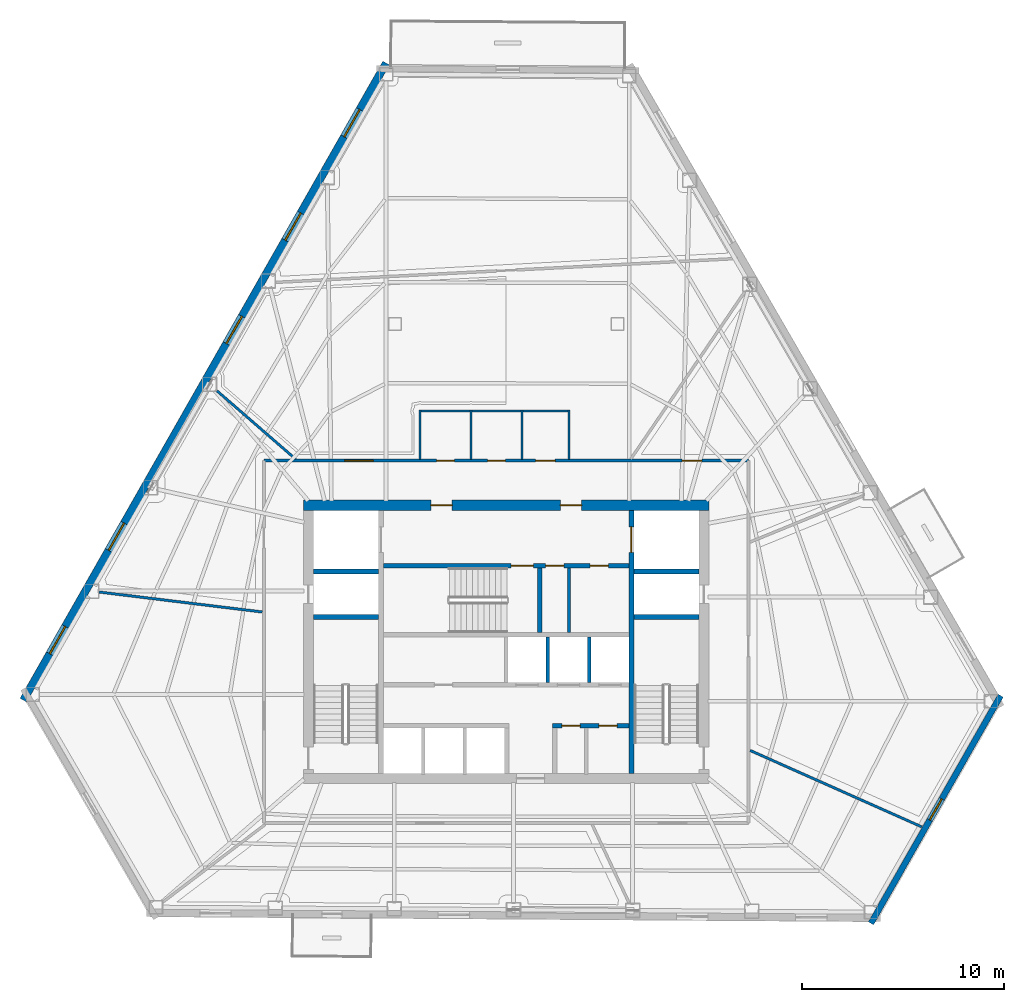
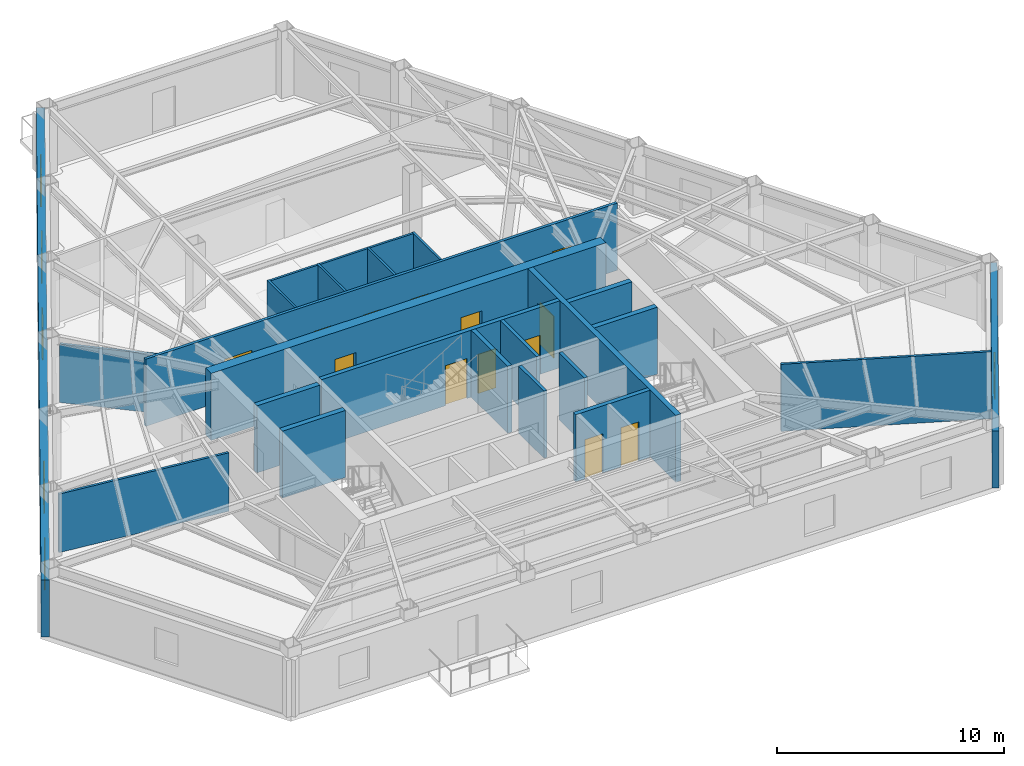
# One storey, part 6 of 9: 23 walls, 13 doors, 6 windows, 19 openings.
"""IFC4 building model written with IfcOpenShell, lengths in metres."""

from ifc_helpers import new_model, si_unit, direction, frame, frame_2d, origin, place, context, subcontext, project, spatial, rectangle, extrude, material, layer, layer_set, type_object, element, fill, save


model = new_model("IFC4")

# Units and contexts
model_context = context("Model", 3, precision=1e-05, world=origin(), true_north=direction((0.0, 1.0)))
body_context = subcontext(model_context, "Body", "Model", "MODEL_VIEW")
ifc_project = project(units=[si_unit("LENGTHUNIT", "METRE"), si_unit("AREAUNIT", "SQUARE_METRE"), si_unit("VOLUMEUNIT", "CUBIC_METRE"), si_unit("PLANEANGLEUNIT", "RADIAN"), si_unit("MASSUNIT", "GRAM", prefix="KILO")], contexts=[model_context])

# Site, building, storey
site_placement = place(None, origin())
site = spatial("IfcSite", under=ifc_project, at=site_placement, CompositionType="ELEMENT")
building_placement = place(site_placement, origin())
building = spatial("IfcBuilding", under=site, at=building_placement, Name="Kavelnor Concourse Tower", CompositionType="ELEMENT")
storey_placement = place(building_placement, frame((0.0, 0.0, 112.449951171875)))
storey = spatial("IfcBuildingStorey", under=building, at=storey_placement, Name="L28", CompositionType="ELEMENT", Elevation=112.449951171875)

# Wall, openings, doors
ifc_material_1 = material(Name="Concrete C60/75", Category="concrete")
ifc_layer_1 = layer(ifc_material_1, 0.5, Name="Concrete C60/75")
ifc_layer_set_1 = layer_set([ifc_layer_1], Name="Concrete C60/75")
wall_type_1 = type_object("IfcWallType", Name="WL-CORE-Z2-500", PredefinedType="SOLIDWALL", material=ifc_layer_set_1)
wall_1_placement = place(storey_placement, frame((27.97998046875, 22.85009765625, 0.0), z_axis=(0.0, 0.0, 1.0), x_axis=(1.0, 0.0, 0.0)))
wall_1 = element("IfcWall", 1, at=wall_1_placement, inside=storey, type_object=wall_type_1, Name="L28 Central Core North Shear Wall", PredefinedType="SOLIDWALL", context=body_context, shape_type="SweptSolid", body=[
    extrude(rectangle(XDim=20.0400390625, YDim=0.5, at=frame_2d((10.02001953125, 0.0))), origin(), (0.0, 0.0, 1.0), 3.60009765625),
])
opening_1_placement = place(wall_1_placement, frame((6.294921875, 0.0, 0.0)))
opening_1 = element("IfcOpeningElement", 2, at=opening_1_placement, cuts=wall_1, Name="Opening FD-105", PredefinedType="OPENING", context=body_context, shape_type="SweptSolid", body=[
    extrude(rectangle(XDim=1.050048828125, YDim=2.14990234375, at=frame_2d((0.52490234375, 1.074951171875))), frame((0.0, 0.260009765625, 0.0), z_axis=(0.0, -1.0, 0.0), x_axis=(1.0, 0.0, 0.0)), (0.0, 0.0, 1.0), 0.52001953125),
])
opening_2_placement = place(wall_1_placement, frame((12.695068359375, 0.0, 0.0)))
opening_2 = element("IfcOpeningElement", 3, at=opening_2_placement, cuts=wall_1, Name="Opening FD-105", PredefinedType="OPENING", context=body_context, shape_type="SweptSolid", body=[
    extrude(rectangle(XDim=1.050048828125, YDim=2.14990234375, at=frame_2d((0.52490234375, 1.074951171875))), frame((0.0, 0.260009765625, 0.0), z_axis=(0.0, -1.0, 0.0), x_axis=(1.0, 0.0, 0.0)), (0.0, 0.0, 1.0), 0.52001953125),
])
ifc_material_2 = material(Name="Steel Grade 350", Category="steel")
door_type_1 = type_object("IfcDoorType", Name="DR-LOBBY-FIRE-1050", OperationType="NOTDEFINED", PredefinedType="DOOR", material=ifc_material_2)
door_1_placement = place(opening_1_placement, origin())
door_1 = element("IfcDoor", 4, at=door_1_placement, inside=storey, type_object=door_type_1, Name="L28 Emergency Lift Lobby West Door", OperationType="SINGLE_SWING_LEFT", OverallHeight=2.14990234375, OverallWidth=1.050048828125, PredefinedType="DOOR", context=body_context, shape_type="SweptSolid", body=[
    extrude(rectangle(XDim=1.050048828125, YDim=2.14990234375, at=frame_2d((0.52490234375, 1.074951171875))), frame((0.0, 0.02490234375, 0.0), z_axis=(0.0, -1.0, 0.0), x_axis=(1.0, 0.0, 0.0)), (0.0, 0.0, 1.0), 0.050048828125),
])
fill(opening_1, door_1)
door_2_placement = place(opening_2_placement, origin())
door_2 = element("IfcDoor", 5, at=door_2_placement, inside=storey, type_object=door_type_1, Name="L28 Emergency Lift Lobby East Door", OperationType="SINGLE_SWING_RIGHT", OverallHeight=2.14990234375, OverallWidth=1.050048828125, PredefinedType="DOOR", context=body_context, shape_type="SweptSolid", body=[
    extrude(rectangle(XDim=1.050048828125, YDim=2.14990234375, at=frame_2d((0.52490234375, 1.074951171875))), frame((0.0, 0.02490234375, 0.0), z_axis=(0.0, -1.0, 0.0), x_axis=(1.0, 0.0, 0.0)), (0.0, 0.0, 1.0), 0.050048828125),
])
fill(opening_2, door_2)

# Wall, opening, window
ifc_material_3 = material(Name="Buff ironspot clay face brick masonry", Category="masonry")
ifc_layer_2 = layer(ifc_material_3, 0.300048828125, Name="Buff ironspot clay face brick masonry")
ifc_layer_set_2 = layer_set([ifc_layer_2], Name="Buff ironspot clay face brick masonry")
wall_type_2 = type_object("IfcWallType", Name="WL-EXT-BUFF-BRICK-FOLD-300", PredefinedType="STANDARD", material=ifc_layer_set_2)
wall_2_placement = place(storey_placement, frame((62.429443359375, 13.4423828125, 0.0), z_axis=(0.0, 0.0, 1.0), x_axis=(-0.49490368697, -0.868947835387, 0.0)))
wall_2 = element("IfcWall", 6, at=wall_2_placement, inside=storey, type_object=wall_type_2, Name="L28 Exterior Brick Facade Wall E4", PredefinedType="STANDARD", context=body_context, shape_type="SweptSolid", body=[
    extrude(rectangle(XDim=12.9462890625, YDim=0.300048828125, at=frame_2d((6.47314453125, 0.0))), origin(), (0.0, 0.0, 1.0), 3.05908203125),
])
opening_3_placement = place(wall_2_placement, frame((5.873291015625, 0.0, 0.64990234375)))
opening_3 = element("IfcOpeningElement", 7, at=opening_3_placement, cuts=wall_2, Name="Opening W-05", PredefinedType="OPENING", context=body_context, shape_type="SweptSolid", body=[
    extrude(rectangle(XDim=1.199951171875, YDim=1.699951171875, at=frame_2d((0.60009765625, 0.85009765625))), frame((0.0, 0.16015625, 0.0), z_axis=(0.0, -1.0, 0.0), x_axis=(1.0, 0.0, 0.0)), (0.0, 0.0, 1.0), 0.320068359375),
])
ifc_material_4 = material(Name="Double low-E argon insulated glazing", Category="glass")
window_type_1 = type_object("IfcWindowType", Name="WIN-FOLD-1200", PartitioningType="SINGLE_PANEL", PredefinedType="WINDOW", material=ifc_material_4)
window_1_placement = place(opening_3_placement, origin())
window_1 = element("IfcWindow", 8, at=window_1_placement, inside=storey, type_object=window_type_1, Name="L28 Chamfer-Fold Facet Window C2", OverallHeight=1.699951171875, OverallWidth=1.199951171875, PartitioningType="SINGLE_PANEL", PredefinedType="WINDOW", context=body_context, shape_type="SweptSolid", body=[
    extrude(rectangle(XDim=1.199951171875, YDim=1.699951171875, at=frame_2d((0.60009765625, 0.85009765625))), frame((0.0, 0.030029296875, 0.0), z_axis=(0.0, -1.0, 0.0), x_axis=(1.0, 0.0, 0.0)), (0.0, 0.0, 1.0), 0.06005859375),
])
fill(opening_3, window_1)

# Wall, openings, windows
ifc_material_5 = material(Name="Red-ochre clay face brick masonry", Category="masonry")
ifc_layer_3 = layer(ifc_material_5, 0.3798828125, Name="Red-ochre clay face brick masonry")
ifc_layer_set_3 = layer_set([ifc_layer_3], Name="Red-ochre clay face brick masonry")
wall_type_3 = type_object("IfcWallType", Name="WL-EXT-RED-BRICK-PIER-380", PredefinedType="STANDARD", material=ifc_layer_set_3)
wall_3_placement = place(storey_placement, frame((14.144287109375, 13.218505859375, 0.0), z_axis=(0.0, 0.0, 1.0), x_axis=(0.494900960409, 0.868949388277, 0.0)))
wall_3 = element("IfcWall", 9, at=wall_3_placement, inside=storey, type_object=wall_type_3, Name="L28 Exterior Brick Facade Wall E1", PredefinedType="STANDARD", context=body_context, shape_type="SweptSolid", body=[
    extrude(rectangle(XDim=36.225341796875, YDim=0.3798828125, at=frame_2d((18.11279296875, 0.0))), origin(), (0.0, 0.0, 1.0), 3.05908203125),
])
opening_4_placement = place(wall_3_placement, frame((32.0302734375, 0.0, 0.64990234375)))
opening_4 = element("IfcOpeningElement", 10, at=opening_4_placement, cuts=wall_3, Name="Opening W-02", PredefinedType="OPENING", context=body_context, shape_type="SweptSolid", body=[
    extrude(rectangle(XDim=1.550048828125, YDim=1.75, at=frame_2d((0.77490234375, 0.875))), frame((0.0, 0.199951171875, 0.0), z_axis=(0.0, -1.0, 0.0), x_axis=(1.0, 0.0, 0.0)), (0.0, 0.0, 1.0), 0.39990234375),
])
opening_5_placement = place(wall_3_placement, frame((26.152099609375, 0.0, 0.64990234375)))
opening_5 = element("IfcOpeningElement", 11, at=opening_5_placement, cuts=wall_3, Name="Opening W-02", PredefinedType="OPENING", context=body_context, shape_type="SweptSolid", body=[
    extrude(rectangle(XDim=1.550048828125, YDim=1.75, at=frame_2d((0.77490234375, 0.875))), frame((0.0, 0.199951171875, 0.0), z_axis=(0.0, -1.0, 0.0), x_axis=(1.0, 0.0, 0.0)), (0.0, 0.0, 1.0), 0.39990234375),
])
opening_6_placement = place(wall_3_placement, frame((20.27392578125, 0.0, 0.64990234375)))
opening_6 = element("IfcOpeningElement", 12, at=opening_6_placement, cuts=wall_3, Name="Opening W-02", PredefinedType="OPENING", context=body_context, shape_type="SweptSolid", body=[
    extrude(rectangle(XDim=1.550048828125, YDim=1.75, at=frame_2d((0.77490234375, 0.875))), frame((0.0, 0.199951171875, 0.0), z_axis=(0.0, -1.0, 0.0), x_axis=(1.0, 0.0, 0.0)), (0.0, 0.0, 1.0), 0.39990234375),
])
opening_7_placement = place(wall_3_placement, frame((8.517578125, 0.0, 0.64990234375)))
opening_7 = element("IfcOpeningElement", 13, at=opening_7_placement, cuts=wall_3, Name="Opening W-02", PredefinedType="OPENING", context=body_context, shape_type="SweptSolid", body=[
    extrude(rectangle(XDim=1.550048828125, YDim=1.75, at=frame_2d((0.77490234375, 0.875))), frame((0.0, 0.199951171875, 0.0), z_axis=(0.0, -1.0, 0.0), x_axis=(1.0, 0.0, 0.0)), (0.0, 0.0, 1.0), 0.39990234375),
])
opening_8_placement = place(wall_3_placement, frame((2.6396484375, 0.0, 0.64990234375)))
opening_8 = element("IfcOpeningElement", 14, at=opening_8_placement, cuts=wall_3, Name="Opening W-02", PredefinedType="OPENING", context=body_context, shape_type="SweptSolid", body=[
    extrude(rectangle(XDim=1.550048828125, YDim=1.75, at=frame_2d((0.77490234375, 0.875))), frame((0.0, 0.199951171875, 0.0), z_axis=(0.0, -1.0, 0.0), x_axis=(1.0, 0.0, 0.0)), (0.0, 0.0, 1.0), 0.39990234375),
])
window_type_2 = type_object("IfcWindowType", Name="WIN-PIER-Z2-1650", PartitioningType="SINGLE_PANEL", PredefinedType="WINDOW", material=ifc_material_4)
window_2_placement = place(opening_4_placement, origin())
window_2 = element("IfcWindow", 15, at=window_2_placement, inside=storey, type_object=window_type_2, Name="L28 Deep-Set Brick Pier Window F0-B0", OverallHeight=1.75, OverallWidth=1.550048828125, PartitioningType="SINGLE_PANEL", PredefinedType="WINDOW", context=body_context, shape_type="SweptSolid", body=[
    extrude(rectangle(XDim=1.550048828125, YDim=1.75, at=frame_2d((0.77490234375, 0.875))), frame((0.0, 0.030029296875, 0.0), z_axis=(0.0, -1.0, 0.0), x_axis=(1.0, 0.0, 0.0)), (0.0, 0.0, 1.0), 0.06005859375),
])
fill(opening_4, window_2)
window_3_placement = place(opening_5_placement, origin())
window_3 = element("IfcWindow", 16, at=window_3_placement, inside=storey, type_object=window_type_2, Name="L28 Deep-Set Brick Pier Window F0-B1", OverallHeight=1.75, OverallWidth=1.550048828125, PartitioningType="SINGLE_PANEL", PredefinedType="WINDOW", context=body_context, shape_type="SweptSolid", body=[
    extrude(rectangle(XDim=1.550048828125, YDim=1.75, at=frame_2d((0.77490234375, 0.875))), frame((0.0, 0.030029296875, 0.0), z_axis=(0.0, -1.0, 0.0), x_axis=(1.0, 0.0, 0.0)), (0.0, 0.0, 1.0), 0.06005859375),
])
fill(opening_5, window_3)
window_4_placement = place(opening_6_placement, origin())
window_4 = element("IfcWindow", 17, at=window_4_placement, inside=storey, type_object=window_type_2, Name="L28 Deep-Set Brick Pier Window F0-B2", OverallHeight=1.75, OverallWidth=1.550048828125, PartitioningType="SINGLE_PANEL", PredefinedType="WINDOW", context=body_context, shape_type="SweptSolid", body=[
    extrude(rectangle(XDim=1.550048828125, YDim=1.75, at=frame_2d((0.77490234375, 0.875))), frame((0.0, 0.030029296875, 0.0), z_axis=(0.0, -1.0, 0.0), x_axis=(1.0, 0.0, 0.0)), (0.0, 0.0, 1.0), 0.06005859375),
])
fill(opening_6, window_4)
window_5_placement = place(opening_7_placement, origin())
window_5 = element("IfcWindow", 18, at=window_5_placement, inside=storey, type_object=window_type_2, Name="L28 Deep-Set Brick Pier Window F0-B4", OverallHeight=1.75, OverallWidth=1.550048828125, PartitioningType="SINGLE_PANEL", PredefinedType="WINDOW", context=body_context, shape_type="SweptSolid", body=[
    extrude(rectangle(XDim=1.550048828125, YDim=1.75, at=frame_2d((0.77490234375, 0.875))), frame((0.0, 0.030029296875, 0.0), z_axis=(0.0, -1.0, 0.0), x_axis=(1.0, 0.0, 0.0)), (0.0, 0.0, 1.0), 0.06005859375),
])
fill(opening_7, window_5)
window_6_placement = place(opening_8_placement, origin())
window_6 = element("IfcWindow", 19, at=window_6_placement, inside=storey, type_object=window_type_2, Name="L28 Deep-Set Brick Pier Window F0-B5", OverallHeight=1.75, OverallWidth=1.550048828125, PartitioningType="SINGLE_PANEL", PredefinedType="WINDOW", context=body_context, shape_type="SweptSolid", body=[
    extrude(rectangle(XDim=1.550048828125, YDim=1.75, at=frame_2d((0.77490234375, 0.875))), frame((0.0, 0.030029296875, 0.0), z_axis=(0.0, -1.0, 0.0), x_axis=(1.0, 0.0, 0.0)), (0.0, 0.0, 1.0), 0.06005859375),
])
fill(opening_8, window_6)

# Wall, openings, doors
ifc_material_6 = material(Name="Gypsum plasterboard on light-gauge steel studs", Category="steel")
ifc_layer_4 = layer(ifc_material_6, 0.14501953125, Name="Gypsum plasterboard on light-gauge steel studs")
ifc_layer_set_4 = layer_set([ifc_layer_4], Name="Gypsum plasterboard on light-gauge steel studs")
wall_type_4 = type_object("IfcWallType", Name="WL-INT-CORR-145", PredefinedType="PARTITIONING", material=ifc_layer_set_4)
wall_4_placement = place(storey_placement, frame((49.969970703125, 25.050048828125, 0.0), z_axis=(0.0, 0.0, 1.0), x_axis=(-1.0, 0.0, 0.0)))
wall_4 = element("IfcWall", 20, at=wall_4_placement, inside=storey, type_object=wall_type_4, Name="L28 Corridor Wall WL-L28-CR-02", PredefinedType="PARTITIONING", context=body_context, shape_type="SweptSolid", body=[
    extrude(rectangle(XDim=23.93994140625, YDim=0.14501953125, at=frame_2d((11.969970703125, 0.0))), origin(), (0.0, 0.0, 1.0), 3.60009765625),
])
opening_9_placement = place(wall_4_placement, frame((14.530029296875, 0.0, 0.0)))
opening_9 = element("IfcOpeningElement", 21, at=opening_9_placement, cuts=wall_4, Name="Opening WD-088", PredefinedType="OPENING", context=body_context, shape_type="SweptSolid", body=[
    extrude(rectangle(XDim=0.8798828125, YDim=2.10009765625, at=frame_2d((0.43994140625, 1.050048828125))), frame((0.0, 0.08251953125, 0.0), z_axis=(0.0, -1.0, 0.0), x_axis=(1.0, 0.0, 0.0)), (0.0, 0.0, 1.0), 0.1650390625),
])
opening_10_placement = place(wall_4_placement, frame((12.010009765625, 0.0, 0.0)))
opening_10 = element("IfcOpeningElement", 22, at=opening_10_placement, cuts=wall_4, Name="Opening WD-088", PredefinedType="OPENING", context=body_context, shape_type="SweptSolid", body=[
    extrude(rectangle(XDim=0.8798828125, YDim=2.10009765625, at=frame_2d((0.43994140625, 1.050048828125))), frame((0.0, 0.08251953125, 0.0), z_axis=(0.0, -1.0, 0.0), x_axis=(1.0, 0.0, 0.0)), (0.0, 0.0, 1.0), 0.1650390625),
])
opening_11_placement = place(wall_4_placement, frame((9.550048828125, 0.0, 0.0)))
opening_11 = element("IfcOpeningElement", 23, at=opening_11_placement, cuts=wall_4, Name="Opening WD-096", PredefinedType="OPENING", context=body_context, shape_type="SweptSolid", body=[
    extrude(rectangle(XDim=0.9599609375, YDim=2.10009765625, at=frame_2d((0.47998046875, 1.050048828125))), frame((0.0, 0.08251953125, 0.0), z_axis=(0.0, -1.0, 0.0), x_axis=(1.0, 0.0, 0.0)), (0.0, 0.0, 1.0), 0.1650390625),
])
opening_12_placement = place(wall_4_placement, frame((2.2978515625, 0.0, 0.0)))
opening_12 = element("IfcOpeningElement", 24, at=opening_12_placement, cuts=wall_4, Name="Opening OD-098", PredefinedType="OPENING", context=body_context, shape_type="SweptSolid", body=[
    extrude(rectangle(XDim=0.97998046875, YDim=2.14990234375, at=frame_2d((0.489990234375, 1.074951171875))), frame((0.0, 0.08251953125, 0.0), z_axis=(0.0, -1.0, 0.0), x_axis=(1.0, 0.0, 0.0)), (0.0, 0.0, 1.0), 0.1650390625),
])
opening_13_placement = place(wall_4_placement, frame((18.547119140625, 0.0, 0.0)))
opening_13 = element("IfcOpeningElement", 25, at=opening_13_placement, cuts=wall_4, Name="Opening SD-140", PredefinedType="OPENING", context=body_context, shape_type="SweptSolid", body=[
    extrude(rectangle(XDim=1.39990234375, YDim=2.199951171875, at=frame_2d((0.699951171875, 1.10009765625))), frame((0.0, 0.08251953125, 0.0), z_axis=(0.0, -1.0, 0.0), x_axis=(1.0, 0.0, 0.0)), (0.0, 0.0, 1.0), 0.1650390625),
])
ifc_material_7 = material(Name="Solid-core hardwood timber", Category="wood")
door_type_2 = type_object("IfcDoorType", Name="DR-OFFICE-980", OperationType="NOTDEFINED", PredefinedType="DOOR", material=ifc_material_7)
door_3_placement = place(opening_12_placement, origin())
door_3 = element("IfcDoor", 26, at=door_3_placement, inside=storey, type_object=door_type_2, Name="L28 Executive Dining Room 01 Door", OperationType="SINGLE_SWING_RIGHT", OverallHeight=2.14990234375, OverallWidth=0.97998046875, PredefinedType="DOOR", context=body_context, shape_type="SweptSolid", body=[
    extrude(rectangle(XDim=0.97998046875, YDim=2.14990234375, at=frame_2d((0.489990234375, 1.074951171875))), frame((0.0, 0.02490234375, 0.0), z_axis=(0.0, -1.0, 0.0), x_axis=(1.0, 0.0, 0.0)), (0.0, 0.0, 1.0), 0.050048828125),
])
fill(opening_12, door_3)
door_type_3 = type_object("IfcDoorType", Name="DR-SUITE-ENTRY-1400", OperationType="NOTDEFINED", PredefinedType="DOOR", material=ifc_material_7)
door_4_placement = place(opening_13_placement, origin())
door_4 = element("IfcDoor", 27, at=door_4_placement, inside=storey, type_object=door_type_3, Name="L28 Tenant Bookstore Retail Shop 02 Door", OperationType="SINGLE_SWING_LEFT", OverallHeight=2.199951171875, OverallWidth=1.39990234375, PredefinedType="DOOR", context=body_context, shape_type="SweptSolid", body=[
    extrude(rectangle(XDim=1.39990234375, YDim=2.199951171875, at=frame_2d((0.699951171875, 1.10009765625))), frame((0.0, 0.02490234375, 0.0), z_axis=(0.0, -1.0, 0.0), x_axis=(1.0, 0.0, 0.0)), (0.0, 0.0, 1.0), 0.050048828125),
])
fill(opening_13, door_4)
door_type_4 = type_object("IfcDoorType", Name="DR-WC-ACC-960", OperationType="NOTDEFINED", PredefinedType="DOOR", material=ifc_material_7)
door_5_placement = place(opening_11_placement, origin())
door_5 = element("IfcDoor", 28, at=door_5_placement, inside=storey, type_object=door_type_4, Name="L28 Accessible WC Door", OperationType="SINGLE_SWING_RIGHT", OverallHeight=2.10009765625, OverallWidth=0.9599609375, PredefinedType="DOOR", context=body_context, shape_type="SweptSolid", body=[
    extrude(rectangle(XDim=0.9599609375, YDim=2.10009765625, at=frame_2d((0.47998046875, 1.050048828125))), frame((0.0, 0.02490234375, 0.0), z_axis=(0.0, -1.0, 0.0), x_axis=(1.0, 0.0, 0.0)), (0.0, 0.0, 1.0), 0.050048828125),
])
fill(opening_11, door_5)
door_type_5 = type_object("IfcDoorType", Name="DR-WC-STD-880", OperationType="NOTDEFINED", PredefinedType="DOOR", material=ifc_material_7)
door_6_placement = place(opening_9_placement, origin())
door_6 = element("IfcDoor", 29, at=door_6_placement, inside=storey, type_object=door_type_5, Name="L28 Male WC Door", OperationType="SINGLE_SWING_RIGHT", OverallHeight=2.10009765625, OverallWidth=0.8798828125, PredefinedType="DOOR", context=body_context, shape_type="SweptSolid", body=[
    extrude(rectangle(XDim=0.8798828125, YDim=2.10009765625, at=frame_2d((0.43994140625, 1.050048828125))), frame((0.0, 0.02490234375, 0.0), z_axis=(0.0, -1.0, 0.0), x_axis=(1.0, 0.0, 0.0)), (0.0, 0.0, 1.0), 0.050048828125),
])
fill(opening_9, door_6)
door_7_placement = place(opening_10_placement, origin())
door_7 = element("IfcDoor", 30, at=door_7_placement, inside=storey, type_object=door_type_5, Name="L28 Female WC Door", OperationType="SINGLE_SWING_LEFT", OverallHeight=2.10009765625, OverallWidth=0.8798828125, PredefinedType="DOOR", context=body_context, shape_type="SweptSolid", body=[
    extrude(rectangle(XDim=0.8798828125, YDim=2.10009765625, at=frame_2d((0.43994140625, 1.050048828125))), frame((0.0, 0.02490234375, 0.0), z_axis=(0.0, -1.0, 0.0), x_axis=(1.0, 0.0, 0.0)), (0.0, 0.0, 1.0), 0.050048828125),
])
fill(opening_10, door_7)

# Walls
ifc_layer_5 = layer(ifc_material_6, 0.1650390625, Name="Gypsum plasterboard on light-gauge steel studs")
ifc_layer_set_5 = layer_set([ifc_layer_5], Name="Gypsum plasterboard on light-gauge steel studs")
wall_type_5 = type_object("IfcWallType", Name="WL-INT-FIRE-165", PredefinedType="PARTITIONING", material=ifc_layer_set_5)
for number, where, z_axis, x_axis, name in (
    (31, (40.050048828125, 14.10009765625, 0.0), (0.0, 0.0, 1.0), (0.0, 1.0, 0.0), "L28 Lift Shaft Divider LP4"),
    (32, (42.10009765625, 14.10009765625, 0.0), (0.0, 0.0, 1.0), (0.0, 1.0, 0.0), "L28 Lift Shaft Divider LP5"),
):
    element("IfcWall", number, at=place(storey_placement, frame(where, z_axis=z_axis, x_axis=x_axis)), inside=storey, type_object=wall_type_5, Name=name, PredefinedType="PARTITIONING", context=body_context, shape_type="SweptSolid", body=[
        extrude(rectangle(XDim=2.239990234375, YDim=0.1650390625, at=frame_2d((1.1201171875, 0.0))), origin(), (0.0, 0.0, 1.0), 3.60009765625),
    ])
wall_5_placement = place(storey_placement, frame((41.10009765625, 16.56005859375, 0.0), z_axis=(0.0, 0.0, 1.0), x_axis=(0.0, 1.0, 0.0)))
element("IfcWall", 33, at=wall_5_placement, inside=storey, type_object=wall_type_5, Name="L28 Core Support West Divider", PredefinedType="PARTITIONING", context=body_context, shape_type="SweptSolid", body=[
    extrude(rectangle(XDim=3.199951171875, YDim=0.1650390625, at=frame_2d((1.60009765625, 0.0))), origin(), (0.0, 0.0, 1.0), 3.60009765625),
])
ifc_layer_6 = layer(ifc_material_6, 0.125, Name="Gypsum plasterboard on light-gauge steel studs")
ifc_layer_set_6 = layer_set([ifc_layer_6], Name="Gypsum plasterboard on light-gauge steel studs")
wall_type_6 = type_object("IfcWallType", Name="WL-INT-SUITE-125", PredefinedType="PARTITIONING", material=ifc_layer_set_6)
wall_6_placement = place(storey_placement, frame((27.594482421875, 25.130615234375, 0.0), z_axis=(0.0, 0.0, 1.0), x_axis=(-0.75527236731, 0.655411055124, 0.0)))
element("IfcWall", 34, at=wall_6_placement, inside=storey, type_object=wall_type_6, Name="L28 Radial Suite Partition 03", PredefinedType="PARTITIONING", context=body_context, shape_type="SweptSolid", body=[
    extrude(rectangle(XDim=5.143798828125, YDim=0.125, at=frame_2d((2.57177734375, 0.0))), origin(), (0.0, 0.0, 1.0), 3.14111328125),
])
wall_7_placement = place(storey_placement, frame((25.949462890625, 17.57470703125, 0.0), z_axis=(0.0, 0.0, 1.0), x_axis=(-0.992595641005, 0.121465606072, 0.0)))
element("IfcWall", 35, at=wall_7_placement, inside=storey, type_object=wall_type_6, Name="L28 Radial Suite Partition 04", PredefinedType="PARTITIONING", context=body_context, shape_type="SweptSolid", body=[
    extrude(rectangle(XDim=8.1181640625, YDim=0.125, at=frame_2d((4.05908203125, 0.0))), origin(), (0.0, 0.0, 1.0), 3.14111328125),
])
wall_8_placement = place(storey_placement, frame((50.050537109375, 10.73486328125, 0.0), z_axis=(0.0, 0.0, 1.0), x_axis=(0.913546845119, -0.406733526738, 0.0)))
element("IfcWall", 36, at=wall_8_placement, inside=storey, type_object=wall_type_6, Name="L28 Radial Suite Partition 07", PredefinedType="PARTITIONING", context=body_context, shape_type="SweptSolid", body=[
    extrude(rectangle(XDim=9.287109375, YDim=0.125, at=frame_2d((4.6435546875, 0.0))), origin(), (0.0, 0.0, 1.0), 3.60009765625),
])
ifc_layer_7 = layer(ifc_material_6, 0.110107421875, Name="Gypsum plasterboard on light-gauge steel studs")
ifc_layer_set_7 = layer_set([ifc_layer_7], Name="Gypsum plasterboard on light-gauge steel studs")
wall_type_7 = type_object("IfcWallType", Name="WL-INT-WC-110", PredefinedType="PLUMBINGWALL", material=ifc_layer_set_7)
for number, where, z_axis, x_axis, name in (
    (37, (33.739990234375, 25.1201171875, 0.0), (0.0, 0.0, 1.0), (0.0, 1.0, 0.0), "L28 Sanitary Partition WL-L28-WC-W"),
    (38, (36.260009765625, 25.1201171875, 0.0), (0.0, 0.0, 1.0), (0.0, 1.0, 0.0), "L28 Sanitary Partition WL-L28-WC-D1"),
    (39, (38.780029296875, 25.1201171875, 0.0), (0.0, 0.0, 1.0), (0.0, 1.0, 0.0), "L28 Sanitary Partition WL-L28-WC-D2"),
    (40, (41.10009765625, 25.1201171875, 0.0), (0.0, 0.0, 1.0), (0.0, 1.0, 0.0), "L28 Sanitary Partition WL-L28-WC-E"),
):
    element("IfcWall", number, at=place(storey_placement, frame(where, z_axis=z_axis, x_axis=x_axis)), inside=storey, type_object=wall_type_7, Name=name, PredefinedType="PLUMBINGWALL", context=body_context, shape_type="SweptSolid", body=[
        extrude(rectangle(XDim=2.43994140625, YDim=0.110107421875, at=frame_2d((1.219970703125, 0.0))), origin(), (0.0, 0.0, 1.0), 3.60009765625),
    ])
wall_9_placement = place(storey_placement, frame((33.68994140625, 27.5, 0.0), z_axis=(0.0, 0.0, 1.0), x_axis=(1.0, 0.0, 0.0)))
element("IfcWall", 41, at=wall_9_placement, inside=storey, type_object=wall_type_7, Name="L28 Sanitary Partition WL-L28-WC-N", PredefinedType="PLUMBINGWALL", context=body_context, shape_type="SweptSolid", body=[
    extrude(rectangle(XDim=7.4599609375, YDim=0.110107421875, at=frame_2d((3.72998046875, 0.0))), origin(), (0.0, 0.0, 1.0), 3.60009765625),
])

# Wall, openings, doors
ifc_material_8 = material(Name="Concrete C50/60", Category="concrete")
ifc_layer_8 = layer(ifc_material_8, 0.219970703125, Name="Concrete C50/60")
ifc_layer_set_8 = layer_set([ifc_layer_8], Name="Concrete C50/60")
wall_type_8 = type_object("IfcWallType", Name="WL-SHAFT-220", PredefinedType="SOLIDWALL", material=ifc_layer_set_8)
wall_10_placement = place(storey_placement, frame((31.93994140625, 19.8701171875, 0.0), z_axis=(0.0, 0.0, 1.0), x_axis=(1.0, 0.0, 0.0)))
wall_10 = element("IfcWall", 42, at=wall_10_placement, inside=storey, type_object=wall_type_8, Name="L28 Emergency Lift Lobby South Wall", PredefinedType="SOLIDWALL", context=body_context, shape_type="SweptSolid", body=[
    extrude(rectangle(XDim=12.1201171875, YDim=0.219970703125, at=frame_2d((6.06005859375, 0.0))), origin(), (0.0, 0.0, 1.0), 3.60009765625),
])
opening_14_placement = place(wall_10_placement, frame((6.300048828125, 0.0, 0.0)))
opening_14 = element("IfcOpeningElement", 43, at=opening_14_placement, cuts=wall_10, Name="Opening FD-110", PredefinedType="OPENING", context=body_context, shape_type="SweptSolid", body=[
    extrude(rectangle(XDim=1.10009765625, YDim=2.14990234375, at=frame_2d((0.550048828125, 1.074951171875))), frame((0.0, 0.1201171875, 0.0), z_axis=(0.0, -1.0, 0.0), x_axis=(1.0, 0.0, 0.0)), (0.0, 0.0, 1.0), 0.239990234375),
])
opening_15_placement = place(wall_10_placement, frame((8.010009765625, 0.0, 0.0)))
opening_15 = element("IfcOpeningElement", 44, at=opening_15_placement, cuts=wall_10, Name="Opening FD-090", PredefinedType="OPENING", context=body_context, shape_type="SweptSolid", body=[
    extrude(rectangle(XDim=0.89990234375, YDim=2.10009765625, at=frame_2d((0.449951171875, 1.050048828125))), frame((0.0, 0.1201171875, 0.0), z_axis=(0.0, -1.0, 0.0), x_axis=(1.0, 0.0, 0.0)), (0.0, 0.0, 1.0), 0.239990234375),
])
opening_16_placement = place(wall_10_placement, frame((10.2099609375, 0.0, 0.0)))
opening_16 = element("IfcOpeningElement", 45, at=opening_16_placement, cuts=wall_10, Name="Opening FD-090", PredefinedType="OPENING", context=body_context, shape_type="SweptSolid", body=[
    extrude(rectangle(XDim=0.89990234375, YDim=2.10009765625, at=frame_2d((0.449951171875, 1.050048828125))), frame((0.0, 0.1201171875, 0.0), z_axis=(0.0, -1.0, 0.0), x_axis=(1.0, 0.0, 0.0)), (0.0, 0.0, 1.0), 0.239990234375),
])
door_type_6 = type_object("IfcDoorType", Name="DR-RISER-FIRE-900", OperationType="NOTDEFINED", PredefinedType="DOOR", material=ifc_material_2)
door_8_placement = place(opening_15_placement, origin())
door_8 = element("IfcDoor", 46, at=door_8_placement, inside=storey, type_object=door_type_6, Name="L28 Cleaner Door", OperationType="SINGLE_SWING_RIGHT", OverallHeight=2.10009765625, OverallWidth=0.89990234375, PredefinedType="DOOR", context=body_context, shape_type="SweptSolid", body=[
    extrude(rectangle(XDim=0.89990234375, YDim=2.10009765625, at=frame_2d((0.449951171875, 1.050048828125))), frame((0.0, 0.02490234375, 0.0), z_axis=(0.0, -1.0, 0.0), x_axis=(1.0, 0.0, 0.0)), (0.0, 0.0, 1.0), 0.050048828125),
])
fill(opening_15, door_8)
door_9_placement = place(opening_16_placement, origin())
door_9 = element("IfcDoor", 47, at=door_9_placement, inside=storey, type_object=door_type_6, Name="L28 UPS Room Door", OperationType="SINGLE_SWING_LEFT", OverallHeight=2.10009765625, OverallWidth=0.89990234375, PredefinedType="DOOR", context=body_context, shape_type="SweptSolid", body=[
    extrude(rectangle(XDim=0.89990234375, YDim=2.10009765625, at=frame_2d((0.449951171875, 1.050048828125))), frame((0.0, 0.02490234375, 0.0), z_axis=(0.0, -1.0, 0.0), x_axis=(1.0, 0.0, 0.0)), (0.0, 0.0, 1.0), 0.050048828125),
])
fill(opening_16, door_9)
door_type_7 = type_object("IfcDoorType", Name="DR-STAIR-FIRE-1100", OperationType="NOTDEFINED", PredefinedType="DOOR", material=ifc_material_2)
door_10_placement = place(opening_14_placement, origin())
door_10 = element("IfcDoor", 48, at=door_10_placement, inside=storey, type_object=door_type_7, Name="L28 Stair ST3 Fire Door", OperationType="SINGLE_SWING_LEFT", OverallHeight=2.14990234375, OverallWidth=1.10009765625, PredefinedType="DOOR", context=body_context, shape_type="SweptSolid", body=[
    extrude(rectangle(XDim=1.10009765625, YDim=2.14990234375, at=frame_2d((0.550048828125, 1.074951171875))), frame((0.0, 0.02490234375, 0.0), z_axis=(0.0, -1.0, 0.0), x_axis=(1.0, 0.0, 0.0)), (0.0, 0.0, 1.0), 0.050048828125),
])
fill(opening_14, door_10)

# Wall
wall_11_placement = place(storey_placement, frame((39.64990234375, 16.56005859375, 0.0), z_axis=(0.0, 0.0, 1.0), x_axis=(0.0, 1.0, 0.0)))
element("IfcWall", 49, at=wall_11_placement, inside=storey, type_object=wall_type_8, Name="L28 Stair ST3 East Core Wall", PredefinedType="SOLIDWALL", context=body_context, shape_type="SweptSolid", body=[
    extrude(rectangle(XDim=3.199951171875, YDim=0.219970703125, at=frame_2d((1.60009765625, 0.0))), origin(), (0.0, 0.0, 1.0), 3.60009765625),
])

# Wall, openings, doors
wall_12_placement = place(storey_placement, frame((40.280029296875, 11.949951171875, 0.0), z_axis=(0.0, 0.0, 1.0), x_axis=(1.0, 0.0, 0.0)))
wall_12 = element("IfcWall", 50, at=wall_12_placement, inside=storey, type_object=wall_type_8, Name="L28 Core South Support North Wall", PredefinedType="SOLIDWALL", context=body_context, shape_type="SweptSolid", body=[
    extrude(rectangle(XDim=3.780029296875, YDim=0.219970703125, at=frame_2d((1.89013671875, 0.0))), origin(), (0.0, 0.0, 1.0), 3.60009765625),
])
opening_17_placement = place(wall_12_placement, frame((0.469970703125, 0.0, 0.0)))
opening_17 = element("IfcOpeningElement", 51, at=opening_17_placement, cuts=wall_12, Name="Opening FD-090", PredefinedType="OPENING", context=body_context, shape_type="SweptSolid", body=[
    extrude(rectangle(XDim=0.89990234375, YDim=2.10009765625, at=frame_2d((0.449951171875, 1.050048828125))), frame((0.0, 0.1201171875, 0.0), z_axis=(0.0, -1.0, 0.0), x_axis=(1.0, 0.0, 0.0)), (0.0, 0.0, 1.0), 0.239990234375),
])
opening_18_placement = place(wall_12_placement, frame((2.300048828125, 0.0, 0.0)))
opening_18 = element("IfcOpeningElement", 52, at=opening_18_placement, cuts=wall_12, Name="Opening FD-090", PredefinedType="OPENING", context=body_context, shape_type="SweptSolid", body=[
    extrude(rectangle(XDim=0.89990234375, YDim=2.10009765625, at=frame_2d((0.449951171875, 1.050048828125))), frame((0.0, 0.1201171875, 0.0), z_axis=(0.0, -1.0, 0.0), x_axis=(1.0, 0.0, 0.0)), (0.0, 0.0, 1.0), 0.239990234375),
])
door_11_placement = place(opening_17_placement, origin())
door_11 = element("IfcDoor", 53, at=door_11_placement, inside=storey, type_object=door_type_6, Name="L28 Staff WC Door", OperationType="SINGLE_SWING_LEFT", OverallHeight=2.10009765625, OverallWidth=0.89990234375, PredefinedType="DOOR", context=body_context, shape_type="SweptSolid", body=[
    extrude(rectangle(XDim=0.89990234375, YDim=2.10009765625, at=frame_2d((0.449951171875, 1.050048828125))), frame((0.0, 0.02490234375, 0.0), z_axis=(0.0, -1.0, 0.0), x_axis=(1.0, 0.0, 0.0)), (0.0, 0.0, 1.0), 0.050048828125),
])
fill(opening_17, door_11)
door_12_placement = place(opening_18_placement, origin())
door_12 = element("IfcDoor", 54, at=door_12_placement, inside=storey, type_object=door_type_6, Name="L28 Core Comms Door", OperationType="SINGLE_SWING_RIGHT", OverallHeight=2.10009765625, OverallWidth=0.89990234375, PredefinedType="DOOR", context=body_context, shape_type="SweptSolid", body=[
    extrude(rectangle(XDim=0.89990234375, YDim=2.10009765625, at=frame_2d((0.449951171875, 1.050048828125))), frame((0.0, 0.02490234375, 0.0), z_axis=(0.0, -1.0, 0.0), x_axis=(1.0, 0.0, 0.0)), (0.0, 0.0, 1.0), 0.050048828125),
])
fill(opening_18, door_12)

# Wall, opening, door
ifc_layer_9 = layer(ifc_material_8, 0.260009765625, Name="Concrete C50/60")
ifc_layer_set_9 = layer_set([ifc_layer_9], Name="Concrete C50/60")
wall_type_9 = type_object("IfcWallType", Name="WL-SHAFT-260", PredefinedType="SHEAR", material=ifc_layer_set_9)
wall_13_placement = place(storey_placement, frame((44.18994140625, 9.60009765625, 0.0), z_axis=(0.0, 0.0, 1.0), x_axis=(0.0, 1.0, 0.0)))
wall_13 = element("IfcWall", 55, at=wall_13_placement, inside=storey, type_object=wall_type_9, Name="L28 Core East Wing Shear Wall", PredefinedType="SHEAR", context=body_context, shape_type="SweptSolid", body=[
    extrude(rectangle(XDim=13.0, YDim=0.260009765625, at=frame_2d((6.5, 0.0))), origin(), (0.0, 0.0, 1.0), 3.60009765625),
])
opening_19_placement = place(wall_13_placement, frame((10.925048828125, 0.0, 0.0)))
opening_19 = element("IfcOpeningElement", 56, at=opening_19_placement, cuts=wall_13, Name="Opening LD-125", PredefinedType="OPENING", context=body_context, shape_type="SweptSolid", body=[
    extrude(rectangle(XDim=1.25, YDim=2.25, at=frame_2d((0.625, 1.125))), frame((0.0, 0.14013671875, 0.0), z_axis=(0.0, -1.0, 0.0), x_axis=(1.0, 0.0, 0.0)), (0.0, 0.0, 1.0), 0.280029296875),
])
door_type_8 = type_object("IfcDoorType", Name="DR-LIFT-SLIDING-1250", OperationType="NOTDEFINED", PredefinedType="DOOR", material=ifc_material_2)
door_13_placement = place(opening_19_placement, origin())
door_13 = element("IfcDoor", 57, at=door_13_placement, inside=storey, type_object=door_type_8, Name="L28 Emergency Lift FL2 Landing Door", OperationType="DOUBLE_DOOR_SLIDING", OverallHeight=2.25, OverallWidth=1.25, PredefinedType="DOOR", context=body_context, shape_type="SweptSolid", body=[
    extrude(rectangle(XDim=1.25, YDim=2.25, at=frame_2d((0.625, 1.125))), frame((0.0, 0.02490234375, 0.0), z_axis=(0.0, -1.0, 0.0), x_axis=(1.0, 0.0, 0.0)), (0.0, 0.0, 1.0), 0.050048828125),
])
fill(opening_19, door_13)

# Walls
for number, where, z_axis, x_axis, name in (
    (58, (28.47998046875, 17.330078125, 0.0), (0.0, 0.0, 1.0), (1.0, 0.0, 0.0), "L28 Stair ST1 North Shaft Wall"),
    (59, (28.47998046875, 19.570068359375, 0.0), (0.0, 0.0, 1.0), (1.0, 0.0, 0.0), "L28 Emergency Lift FL1 South Shaft Wall"),
    (60, (44.320068359375, 17.330078125, 0.0), (0.0, 0.0, 1.0), (1.0, 0.0, 0.0), "L28 Stair ST2 North Shaft Wall"),
    (61, (44.320068359375, 19.570068359375, 0.0), (0.0, 0.0, 1.0), (1.0, 0.0, 0.0), "L28 Emergency Lift FL2 South Shaft Wall"),
):
    element("IfcWall", number, at=place(storey_placement, frame(where, z_axis=z_axis, x_axis=x_axis)), inside=storey, type_object=wall_type_9, Name=name, PredefinedType="SHEAR", context=body_context, shape_type="SweptSolid", body=[
        extrude(rectangle(XDim=3.199951171875, YDim=0.260009765625, at=frame_2d((1.60009765625, 0.0))), origin(), (0.0, 0.0, 1.0), 3.60009765625),
    ])

save(model, "model.ifc")
